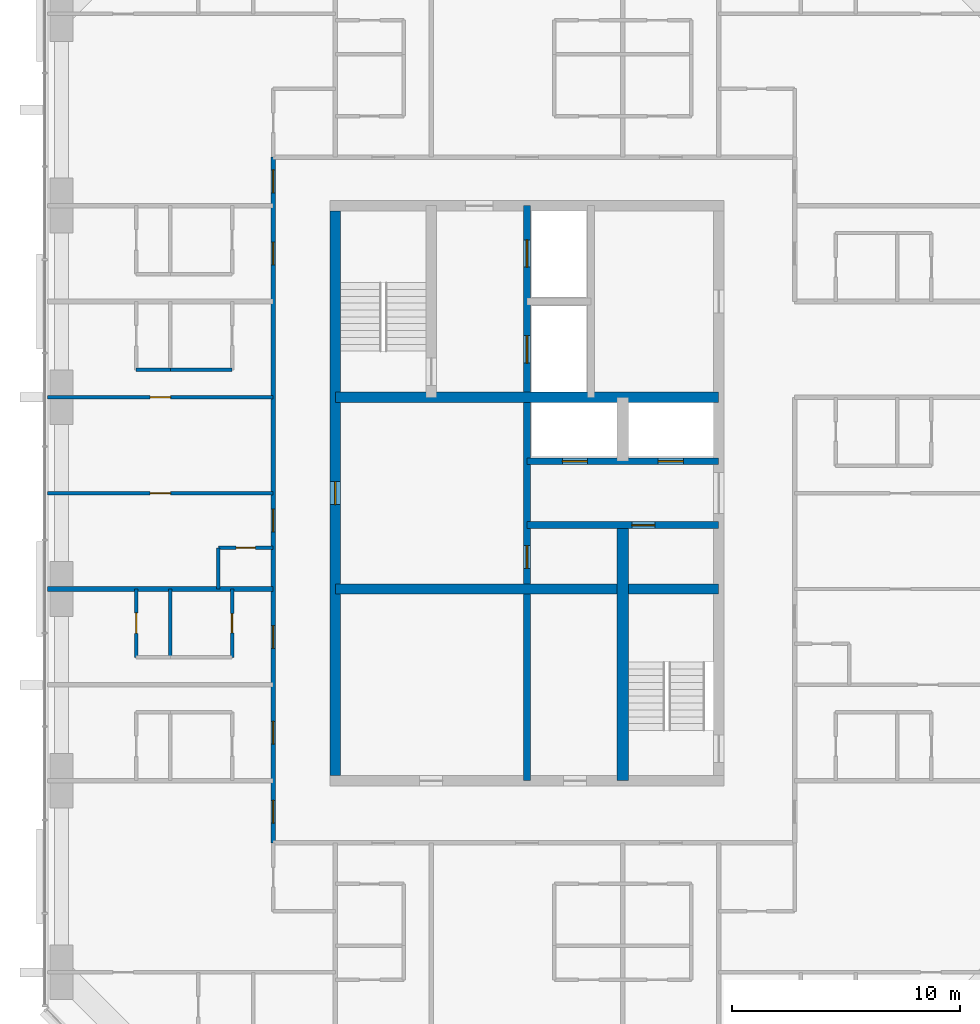
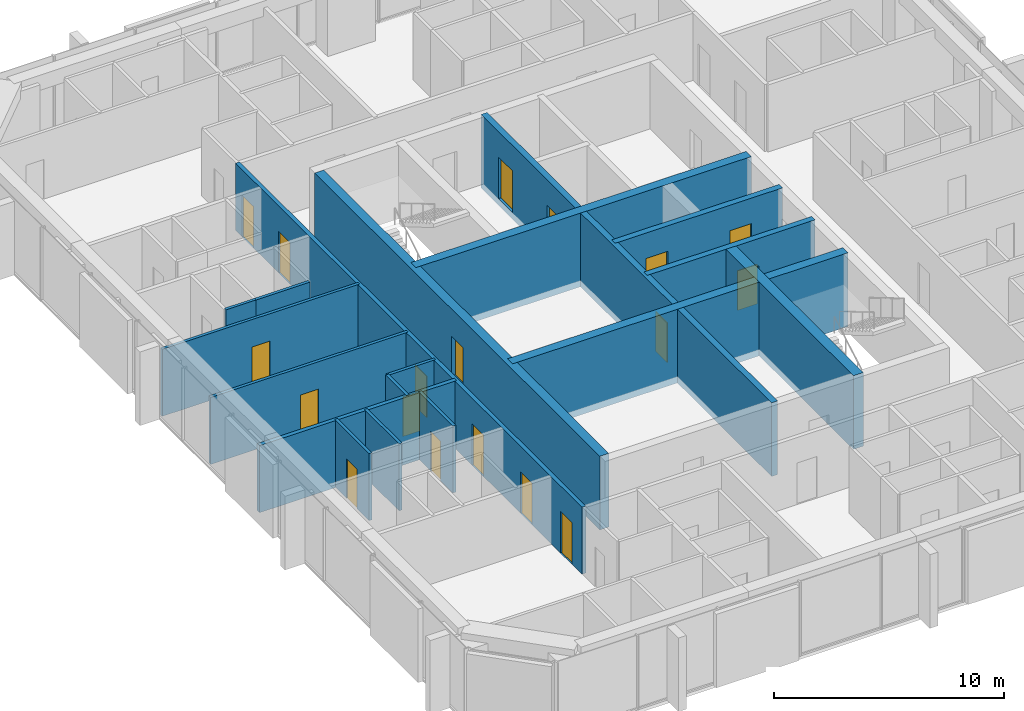
# One storey, part 8 of 12: 18 doors, 18 walls, 18 openings.
"""IFC4 building model written with IfcOpenShell, lengths in metres."""

from ifc_helpers import new_model, si_unit, direction, frame, frame_2d, origin, place, context, subcontext, project, spatial, rectangle, extrude, material, layer, layer_set, type_object, element, fill, save


model = new_model("IFC4")

# Units and contexts
model_context = context("Model", 3, precision=1e-05, world=origin(), true_north=direction((0.0, 1.0)))
body_context = subcontext(model_context, "Body", "Model", "MODEL_VIEW")
ifc_project = project(units=[si_unit("LENGTHUNIT", "METRE"), si_unit("AREAUNIT", "SQUARE_METRE"), si_unit("VOLUMEUNIT", "CUBIC_METRE"), si_unit("PLANEANGLEUNIT", "RADIAN"), si_unit("MASSUNIT", "GRAM", prefix="KILO")], contexts=[model_context])

# Site, building, storey
site_placement = place(None, origin())
site = spatial("IfcSite", under=ifc_project, at=site_placement, CompositionType="ELEMENT")
building_placement = place(site_placement, origin())
building = spatial("IfcBuilding", under=site, at=building_placement, Name="Dunama Terrace Hotel", CompositionType="ELEMENT")
storey_placement = place(building_placement, frame((0.0, 0.0, 264.60009765625)))
storey = spatial("IfcBuildingStorey", under=building, at=storey_placement, Name="L68", CompositionType="ELEMENT", Elevation=264.60009765625)

# Wall
ifc_material_1 = material(Name="Gypsum board partition", Category="masonry")
ifc_layer_1 = layer(ifc_material_1, 0.14990234375)
ifc_layer_set_1 = layer_set([ifc_layer_1], Name="Bathroom partition 150")
wall_type_1 = type_object("IfcWallType", Name="Bathroom partition 150", PredefinedType="PARTITIONING", material=ifc_layer_set_1)
wall_1_placement = place(storey_placement, frame((20.074951171875, 25.199951171875, 0.0), z_axis=(0.0, 0.0, 1.0), x_axis=(0.0, 1.0, 0.0)))
element("IfcWall", 1, at=wall_1_placement, inside=storey, type_object=wall_type_1, Name="Bathroom partition 150 L68", PredefinedType="PARTITIONING", context=body_context, shape_type="SweptSolid", body=[
    extrude(rectangle(XDim=1.800048828125, YDim=0.14990234375, at=frame_2d((0.89990234375, 0.0))), origin(), (0.0, 0.0, 1.0), 3.5498046875),
])

# Wall, opening, door
wall_2_placement = place(storey_placement, frame((20.675048828125, 22.199951171875, 0.0), z_axis=(0.0, 0.0, 1.0), x_axis=(0.0, 1.0, 0.0)))
wall_2 = element("IfcWall", 2, at=wall_2_placement, inside=storey, type_object=wall_type_1, Name="Bathroom partition 150 L68", PredefinedType="PARTITIONING", context=body_context, shape_type="SweptSolid", body=[
    extrude(rectangle(XDim=3.0, YDim=0.14990234375, at=frame_2d((1.5, 0.0))), origin(), (0.0, 0.0, 1.0), 3.5498046875),
])
opening_1_placement = place(wall_2_placement, frame((1.074951171875, 0.0, 0.0)))
opening_1 = element("IfcOpeningElement", 3, at=opening_1_placement, cuts=wall_2, Name="Opening L68-70-041", PredefinedType="OPENING", context=body_context, shape_type="SweptSolid", body=[
    extrude(rectangle(XDim=0.85009765625, YDim=2.10009765625, at=frame_2d((0.425048828125, 1.050048828125))), frame((0.0, 0.0849609375, 0.0), z_axis=(0.0, -1.0, 0.0), x_axis=(1.0, 0.0, 0.0)), (0.0, 0.0, 1.0), 0.169921875),
])
ifc_material_2 = material(Name="Timber door with steel frame", Category="steel")
door_type_1 = type_object("IfcDoorType", Name="Bathroom door 850", OperationType="SINGLE_SWING_LEFT", PredefinedType="DOOR", material=ifc_material_2)
door_1_placement = place(opening_1_placement, origin())
door_1 = element("IfcDoor", 4, at=door_1_placement, inside=storey, type_object=door_type_1, Name="Door to en-suite bathroom L68-70-041, type D2", OperationType="SINGLE_SWING_RIGHT", OverallHeight=2.10009765625, OverallWidth=0.85009765625, PredefinedType="DOOR", context=body_context, shape_type="SweptSolid", body=[
    extrude(rectangle(XDim=0.85009765625, YDim=2.10009765625, at=frame_2d((0.425048828125, 1.050048828125))), frame((0.0, 0.02490234375, 0.0), z_axis=(0.0, -1.0, 0.0), x_axis=(1.0, 0.0, 0.0)), (0.0, 0.0, 1.0), 0.050048828125),
])
fill(opening_1, door_1)

wall_3_placement = place(storey_placement, frame((20.074951171875, 27.0, 0.0), z_axis=(0.0, 0.0, 1.0), x_axis=(1.0, 0.0, 0.0)))
wall_3 = element("IfcWall", 5, at=wall_3_placement, inside=storey, type_object=wall_type_1, Name="Bathroom partition 150 L68", PredefinedType="PARTITIONING", context=body_context, shape_type="SweptSolid", body=[
    extrude(rectangle(XDim=2.400146484375, YDim=0.14990234375, at=frame_2d((1.2001953125, 0.0))), origin(), (0.0, 0.0, 1.0), 3.5498046875),
])
opening_2_placement = place(wall_3_placement, frame((0.77490234375, 0.0, 0.0)))
opening_2 = element("IfcOpeningElement", 6, at=opening_2_placement, cuts=wall_3, Name="Opening L68-70-044", PredefinedType="OPENING", context=body_context, shape_type="SweptSolid", body=[
    extrude(rectangle(XDim=0.85009765625, YDim=2.10009765625, at=frame_2d((0.425048828125, 1.050048828125))), frame((0.0, 0.0849609375, 0.0), z_axis=(0.0, -1.0, 0.0), x_axis=(1.0, 0.0, 0.0)), (0.0, 0.0, 1.0), 0.169921875),
])
door_2_placement = place(opening_2_placement, frame((0.85009765625, 0.0, 0.0), z_axis=(0.0, 0.0, 1.0), x_axis=(-1.0, 0.0, 0.0)))
door_2 = element("IfcDoor", 7, at=door_2_placement, inside=storey, type_object=door_type_1, Name="Door to powder room L68-70-044, type D2", OperationType="SINGLE_SWING_LEFT", OverallHeight=2.10009765625, OverallWidth=0.85009765625, PredefinedType="DOOR", context=body_context, shape_type="SweptSolid", body=[
    extrude(rectangle(XDim=0.85009765625, YDim=2.10009765625, at=frame_2d((0.425048828125, 1.050048828125))), frame((0.0, 0.025146484375, 0.0), z_axis=(0.0, -1.0, 0.0), x_axis=(1.0, 0.0, 0.0)), (0.0, 0.0, 1.0), 0.050048828125),
])
fill(opening_2, door_2)

# Wall
wall_4_placement = place(storey_placement, frame((17.97509765625, 34.800048828125, 0.0), z_axis=(0.0, 0.0, 1.0), x_axis=(1.0, 0.0, 0.0)))
element("IfcWall", 8, at=wall_4_placement, inside=storey, type_object=wall_type_1, Name="Bathroom partition 150 L68", PredefinedType="PARTITIONING", context=body_context, shape_type="SweptSolid", body=[
    extrude(rectangle(XDim=2.699951171875, YDim=0.14990234375, at=frame_2d((1.35009765625, 0.0))), origin(), (0.0, 0.0, 1.0), 3.5498046875),
])

# Wall, openings, doors
ifc_material_3 = material(Name="Concrete C50/60", Category="concrete")
ifc_layer_2 = layer(ifc_material_3, 0.300048828125)
ifc_layer_set_2 = layer_set([ifc_layer_2], Name="Core inner wall 300")
wall_type_2 = type_object("IfcWallType", Name="Core inner wall 300", PredefinedType="SHEAR", material=ifc_layer_set_2)
wall_5_placement = place(storey_placement, frame((33.60009765625, 16.800048828125, -0.35009765625), z_axis=(0.0, 0.0, 1.0), x_axis=(0.0, 1.0, 0.0)))
wall_5 = element("IfcWall", 9, at=wall_5_placement, inside=storey, type_object=wall_type_2, Name="Core inner wall 300 L68", PredefinedType="SHEAR", context=body_context, shape_type="SweptSolid", body=[
    extrude(rectangle(XDim=25.199951171875, YDim=0.300048828125, at=frame_2d((12.60009765625, 0.0))), origin(), (0.0, 0.0, 1.0), 3.89990234375),
])
opening_3_placement = place(wall_5_placement, frame((22.5, 0.0, 0.35009765625)))
opening_3 = element("IfcOpeningElement", 10, at=opening_3_placement, cuts=wall_5, Name="Opening L68-70-005", PredefinedType="OPENING", context=body_context, shape_type="SweptSolid", body=[
    extrude(rectangle(XDim=1.199951171875, YDim=2.199951171875, at=frame_2d((0.60009765625, 1.10009765625))), frame((0.0, 0.159912109375, 0.0), z_axis=(0.0, -1.0, 0.0), x_axis=(1.0, 0.0, 0.0)), (0.0, 0.0, 1.0), 0.320068359375),
])
opening_4_placement = place(wall_5_placement, frame((18.300048828125, 0.0, 0.35009765625)))
opening_4 = element("IfcOpeningElement", 11, at=opening_4_placement, cuts=wall_5, Name="Opening L68-70-006", PredefinedType="OPENING", context=body_context, shape_type="SweptSolid", body=[
    extrude(rectangle(XDim=1.199951171875, YDim=2.199951171875, at=frame_2d((0.60009765625, 1.10009765625))), frame((0.0, 0.159912109375, 0.0), z_axis=(0.0, -1.0, 0.0), x_axis=(1.0, 0.0, 0.0)), (0.0, 0.0, 1.0), 0.320068359375),
])
opening_5_placement = place(wall_5_placement, frame((9.300048828125, 0.0, 0.35009765625)))
opening_5 = element("IfcOpeningElement", 12, at=opening_5_placement, cuts=wall_5, Name="Opening L68-70-073", PredefinedType="OPENING", context=body_context, shape_type="SweptSolid", body=[
    extrude(rectangle(XDim=1.0, YDim=2.10009765625, at=frame_2d((0.5, 1.050048828125))), frame((0.0, 0.159912109375, 0.0), z_axis=(0.0, -1.0, 0.0), x_axis=(1.0, 0.0, 0.0)), (0.0, 0.0, 1.0), 0.320068359375),
])
ifc_material_4 = material(Name="Stainless steel lift door", Category="steel")
door_type_2 = type_object("IfcDoorType", Name="Firefighting lift landing door 1200", OperationType="DOUBLE_DOOR_SLIDING", PredefinedType="DOOR", material=ifc_material_4)
door_3_placement = place(opening_3_placement, origin())
door_3 = element("IfcDoor", 13, at=door_3_placement, inside=storey, type_object=door_type_2, Name="Landing door FL1 L68-70-005, type LD2", OperationType="DOUBLE_DOOR_SLIDING", OverallHeight=2.199951171875, OverallWidth=1.199951171875, PredefinedType="DOOR", context=body_context, shape_type="SweptSolid", body=[
    extrude(rectangle(XDim=1.199951171875, YDim=2.199951171875, at=frame_2d((0.60009765625, 1.10009765625))), frame((0.0, 0.02490234375, 0.0), z_axis=(0.0, -1.0, 0.0), x_axis=(1.0, 0.0, 0.0)), (0.0, 0.0, 1.0), 0.050048828125),
])
fill(opening_3, door_3)
door_4_placement = place(opening_4_placement, origin())
door_4 = element("IfcDoor", 14, at=door_4_placement, inside=storey, type_object=door_type_2, Name="Landing door FL2 L68-70-006, type LD2", OperationType="DOUBLE_DOOR_SLIDING", OverallHeight=2.199951171875, OverallWidth=1.199951171875, PredefinedType="DOOR", context=body_context, shape_type="SweptSolid", body=[
    extrude(rectangle(XDim=1.199951171875, YDim=2.199951171875, at=frame_2d((0.60009765625, 1.10009765625))), frame((0.0, 0.02490234375, 0.0), z_axis=(0.0, -1.0, 0.0), x_axis=(1.0, 0.0, 0.0)), (0.0, 0.0, 1.0), 0.050048828125),
])
fill(opening_4, door_4)
ifc_material_5 = material(Name="Timber door with steel frame", Category="steel")
door_type_3 = type_object("IfcDoorType", Name="Service door 1000", OperationType="SINGLE_SWING_LEFT", PredefinedType="DOOR", material=ifc_material_5)
door_5_placement = place(opening_5_placement, frame((1.0, 0.0, 0.0), z_axis=(0.0, 0.0, 1.0), x_axis=(-1.0, 0.0, 0.0)))
door_5 = element("IfcDoor", 15, at=door_5_placement, inside=storey, type_object=door_type_3, Name="Door to service riser L68-70-073, type D7", OperationType="SINGLE_SWING_RIGHT", OverallHeight=2.10009765625, OverallWidth=1.0, PredefinedType="DOOR", context=body_context, shape_type="SweptSolid", body=[
    extrude(rectangle(XDim=1.0, YDim=2.10009765625, at=frame_2d((0.5, 1.050048828125))), frame((0.0, 0.025146484375, 0.0), z_axis=(0.0, -1.0, 0.0), x_axis=(1.0, 0.0, 0.0)), (0.0, 0.0, 1.0), 0.050048828125),
])
fill(opening_5, door_5)

# Wall, opening, door
wall_6_placement = place(storey_placement, frame((33.60009765625, 28.0, -0.35009765625), z_axis=(0.0, 0.0, 1.0), x_axis=(1.0, 0.0, 0.0)))
wall_6 = element("IfcWall", 16, at=wall_6_placement, inside=storey, type_object=wall_type_2, Name="Core inner wall 300 L68", PredefinedType="SHEAR", context=body_context, shape_type="SweptSolid", body=[
    extrude(rectangle(XDim=8.39990234375, YDim=0.300048828125, at=frame_2d((4.199951171875, 0.0))), origin(), (0.0, 0.0, 1.0), 3.89990234375),
])
opening_6_placement = place(wall_6_placement, frame((4.60009765625, 0.0, 0.35009765625)))
opening_6 = element("IfcOpeningElement", 17, at=opening_6_placement, cuts=wall_6, Name="Opening L68-70-074", PredefinedType="OPENING", context=body_context, shape_type="SweptSolid", body=[
    extrude(rectangle(XDim=1.0, YDim=2.10009765625, at=frame_2d((0.5, 1.050048828125))), frame((0.0, 0.159912109375, 0.0), z_axis=(0.0, -1.0, 0.0), x_axis=(1.0, 0.0, 0.0)), (0.0, 0.0, 1.0), 0.320068359375),
])
door_6_placement = place(opening_6_placement, frame((1.0, 0.0, 0.0), z_axis=(0.0, 0.0, 1.0), x_axis=(-1.0, 0.0, 0.0)))
door_6 = element("IfcDoor", 18, at=door_6_placement, inside=storey, type_object=door_type_3, Name="Door to guest pantry L68-70-074, type D7", OperationType="SINGLE_SWING_RIGHT", OverallHeight=2.10009765625, OverallWidth=1.0, PredefinedType="DOOR", context=body_context, shape_type="SweptSolid", body=[
    extrude(rectangle(XDim=1.0, YDim=2.10009765625, at=frame_2d((0.5, 1.050048828125))), frame((0.0, 0.025146484375, 0.0), z_axis=(0.0, -1.0, 0.0), x_axis=(1.0, 0.0, 0.0)), (0.0, 0.0, 1.0), 0.050048828125),
])
fill(opening_6, door_6)

# Wall, openings, doors
wall_7_placement = place(storey_placement, frame((33.60009765625, 30.800048828125, -0.35009765625), z_axis=(0.0, 0.0, 1.0), x_axis=(1.0, 0.0, 0.0)))
wall_7 = element("IfcWall", 19, at=wall_7_placement, inside=storey, type_object=wall_type_2, Name="Core inner wall 300 L68", PredefinedType="SHEAR", context=body_context, shape_type="SweptSolid", body=[
    extrude(rectangle(XDim=8.39990234375, YDim=0.300048828125, at=frame_2d((4.199951171875, 0.0))), origin(), (0.0, 0.0, 1.0), 3.89990234375),
])
opening_7_placement = place(wall_7_placement, frame((1.550048828125, 0.0, 0.35009765625)))
opening_7 = element("IfcOpeningElement", 20, at=opening_7_placement, cuts=wall_7, Name="Opening L68-70-003", PredefinedType="OPENING", context=body_context, shape_type="SweptSolid", body=[
    extrude(rectangle(XDim=1.10009765625, YDim=2.199951171875, at=frame_2d((0.550048828125, 1.10009765625))), frame((0.0, 0.159912109375, 0.0), z_axis=(0.0, -1.0, 0.0), x_axis=(1.0, 0.0, 0.0)), (0.0, 0.0, 1.0), 0.320068359375),
])
opening_8_placement = place(wall_7_placement, frame((5.75, 0.0, 0.35009765625)))
opening_8 = element("IfcOpeningElement", 21, at=opening_8_placement, cuts=wall_7, Name="Opening L68-70-004", PredefinedType="OPENING", context=body_context, shape_type="SweptSolid", body=[
    extrude(rectangle(XDim=1.10009765625, YDim=2.199951171875, at=frame_2d((0.550048828125, 1.10009765625))), frame((0.0, 0.159912109375, 0.0), z_axis=(0.0, -1.0, 0.0), x_axis=(1.0, 0.0, 0.0)), (0.0, 0.0, 1.0), 0.320068359375),
])
ifc_material_6 = material(Name="Stainless steel lift door", Category="steel")
door_type_4 = type_object("IfcDoorType", Name="Lift landing door 1100", OperationType="DOUBLE_DOOR_SLIDING", PredefinedType="DOOR", material=ifc_material_6)
door_7_placement = place(opening_7_placement, origin())
door_7 = element("IfcDoor", 22, at=door_7_placement, inside=storey, type_object=door_type_4, Name="Landing door PD1 L68-70-003, type LD1", OperationType="DOUBLE_DOOR_SLIDING", OverallHeight=2.199951171875, OverallWidth=1.10009765625, PredefinedType="DOOR", context=body_context, shape_type="SweptSolid", body=[
    extrude(rectangle(XDim=1.10009765625, YDim=2.199951171875, at=frame_2d((0.550048828125, 1.10009765625))), frame((0.0, 0.02490234375, 0.0), z_axis=(0.0, -1.0, 0.0), x_axis=(1.0, 0.0, 0.0)), (0.0, 0.0, 1.0), 0.050048828125),
])
fill(opening_7, door_7)
door_8_placement = place(opening_8_placement, origin())
door_8 = element("IfcDoor", 23, at=door_8_placement, inside=storey, type_object=door_type_4, Name="Landing door PD2 L68-70-004, type LD1", OperationType="DOUBLE_DOOR_SLIDING", OverallHeight=2.199951171875, OverallWidth=1.10009765625, PredefinedType="DOOR", context=body_context, shape_type="SweptSolid", body=[
    extrude(rectangle(XDim=1.10009765625, YDim=2.199951171875, at=frame_2d((0.550048828125, 1.10009765625))), frame((0.0, 0.02490234375, 0.0), z_axis=(0.0, -1.0, 0.0), x_axis=(1.0, 0.0, 0.0)), (0.0, 0.0, 1.0), 0.050048828125),
])
fill(opening_8, door_8)

# Walls
ifc_material_7 = material(Name="Concrete C50/60", Category="concrete")
ifc_layer_3 = layer(ifc_material_7, 0.449951171875)
ifc_layer_set_3 = layer_set([ifc_layer_3], Name="Core inner wall 450")
wall_type_3 = type_object("IfcWallType", Name="Core inner wall 450", PredefinedType="SHEAR", material=ifc_layer_set_3)
for number, where, z_axis, x_axis, name in (
    (24, (25.199951171875, 25.199951171875, -0.35009765625), (0.0, 0.0, 1.0), (1.0, 0.0, 0.0), "Core inner wall 450 L68"),
    (25, (25.199951171875, 33.60009765625, -0.35009765625), (0.0, 0.0, 1.0), (1.0, 0.0, 0.0), "Core inner wall 450 L68"),
):
    element("IfcWall", number, at=place(storey_placement, frame(where, z_axis=z_axis, x_axis=x_axis)), inside=storey, type_object=wall_type_3, Name=name, PredefinedType="SHEAR", context=body_context, shape_type="SweptSolid", body=[
        extrude(rectangle(XDim=16.800048828125, YDim=0.449951171875, at=frame_2d((8.39990234375, 0.0))), origin(), (0.0, 0.0, 1.0), 3.89990234375),
    ])
ifc_material_8 = material(Name="Concrete C50/60", Category="concrete")
ifc_layer_4 = layer(ifc_material_8, 0.5)
ifc_layer_set_4 = layer_set([ifc_layer_4], Name="Core inner wall 500")
wall_type_4 = type_object("IfcWallType", Name="Core inner wall 500", PredefinedType="SHEAR", material=ifc_layer_set_4)
wall_8_placement = place(storey_placement, frame((37.800048828125, 16.800048828125, -0.35009765625), z_axis=(0.0, 0.0, 1.0), x_axis=(0.0, 1.0, 0.0)))
element("IfcWall", 26, at=wall_8_placement, inside=storey, type_object=wall_type_4, Name="Core inner wall 500 L68", PredefinedType="SHEAR", context=body_context, shape_type="SweptSolid", body=[
    extrude(rectangle(XDim=11.199951171875, YDim=0.5, at=frame_2d((5.60009765625, 0.0))), origin(), (0.0, 0.0, 1.0), 3.89990234375),
])

# Wall, opening, door
ifc_material_9 = material(Name="Concrete C50/60", Category="concrete")
ifc_layer_5 = layer(ifc_material_9, 0.449951171875)
ifc_layer_set_5 = layer_set([ifc_layer_5], Name="Core wall 450")
wall_type_5 = type_object("IfcWallType", Name="Core wall 450", PredefinedType="SHEAR", material=ifc_layer_set_5)
wall_9_placement = place(storey_placement, frame((25.199951171875, 41.77490234375, -0.35009765625), z_axis=(0.0, 0.0, 1.0), x_axis=(0.0, -1.0, 0.0)))
wall_9 = element("IfcWall", 27, at=wall_9_placement, inside=storey, type_object=wall_type_5, Name="Core wall west L68", PredefinedType="SHEAR", context=body_context, shape_type="SweptSolid", body=[
    extrude(rectangle(XDim=24.75, YDim=0.449951171875, at=frame_2d((12.375, 0.0))), origin(), (0.0, 0.0, 1.0), 3.89990234375),
])
opening_9_placement = place(wall_9_placement, frame((11.875, 0.0, 0.35009765625)))
opening_9 = element("IfcOpeningElement", 28, at=opening_9_placement, cuts=wall_9, Name="Opening L68-70-072", PredefinedType="OPENING", context=body_context, shape_type="SweptSolid", body=[
    extrude(rectangle(XDim=1.0, YDim=2.10009765625, at=frame_2d((0.5, 1.050048828125))), frame((0.0, 0.23486328125, 0.0), z_axis=(0.0, -1.0, 0.0), x_axis=(1.0, 0.0, 0.0)), (0.0, 0.0, 1.0), 0.469970703125),
])
door_9_placement = place(opening_9_placement, origin())
door_9 = element("IfcDoor", 29, at=door_9_placement, inside=storey, type_object=door_type_3, Name="Door to riser room L68-70-072, type D7", OperationType="SINGLE_SWING_LEFT", OverallHeight=2.10009765625, OverallWidth=1.0, PredefinedType="DOOR", context=body_context, shape_type="SweptSolid", body=[
    extrude(rectangle(XDim=1.0, YDim=2.10009765625, at=frame_2d((0.5, 1.050048828125))), frame((0.0, 0.02490234375, 0.0), z_axis=(0.0, -1.0, 0.0), x_axis=(1.0, 0.0, 0.0)), (0.0, 0.0, 1.0), 0.050048828125),
])
fill(opening_9, door_9)

# Wall, openings, doors
ifc_material_10 = material(Name="Concrete blockwork", Category="masonry")
ifc_layer_6 = layer(ifc_material_10, 0.199951171875)
ifc_layer_set_6 = layer_set([ifc_layer_6], Name="Corridor partition 200")
wall_type_6 = type_object("IfcWallType", Name="Corridor partition 200", PredefinedType="PARTITIONING", material=ifc_layer_set_6)
wall_10_placement = place(storey_placement, frame((22.47509765625, 14.074951171875, 0.0), z_axis=(0.0, 0.0, 1.0), x_axis=(0.0, 1.0, 0.0)))
wall_10 = element("IfcWall", 30, at=wall_10_placement, inside=storey, type_object=wall_type_6, Name="Corridor partition 200 L68", PredefinedType="PARTITIONING", context=body_context, shape_type="SweptSolid", body=[
    extrude(rectangle(XDim=30.050048828125, YDim=0.199951171875, at=frame_2d((15.02490234375, 0.0))), origin(), (0.0, 0.0, 1.0), 3.5498046875),
])
opening_10_placement = place(wall_10_placement, frame((4.324951171875, 0.0, 0.0)))
opening_10 = element("IfcOpeningElement", 31, at=opening_10_placement, cuts=wall_10, Name="Opening L68-70-037", PredefinedType="OPENING", context=body_context, shape_type="SweptSolid", body=[
    extrude(rectangle(XDim=1.0, YDim=2.199951171875, at=frame_2d((0.5, 1.10009765625))), frame((0.0, 0.10986328125, 0.0), z_axis=(0.0, -1.0, 0.0), x_axis=(1.0, 0.0, 0.0)), (0.0, 0.0, 1.0), 0.219970703125),
])
opening_11_placement = place(wall_10_placement, frame((8.52490234375, 0.0, 0.0)))
opening_11 = element("IfcOpeningElement", 32, at=opening_11_placement, cuts=wall_10, Name="Opening L68-70-040", PredefinedType="OPENING", context=body_context, shape_type="SweptSolid", body=[
    extrude(rectangle(XDim=1.0, YDim=2.199951171875, at=frame_2d((0.5, 1.10009765625))), frame((0.0, 0.10986328125, 0.0), z_axis=(0.0, -1.0, 0.0), x_axis=(1.0, 0.0, 0.0)), (0.0, 0.0, 1.0), 0.219970703125),
])
opening_12_placement = place(wall_10_placement, frame((13.625, 0.0, 0.0)))
opening_12 = element("IfcOpeningElement", 33, at=opening_12_placement, cuts=wall_10, Name="Opening L68-70-043", PredefinedType="OPENING", context=body_context, shape_type="SweptSolid", body=[
    extrude(rectangle(XDim=1.0, YDim=2.199951171875, at=frame_2d((0.5, 1.10009765625))), frame((0.0, 0.10986328125, 0.0), z_axis=(0.0, -1.0, 0.0), x_axis=(1.0, 0.0, 0.0)), (0.0, 0.0, 1.0), 0.219970703125),
])
opening_13_placement = place(wall_10_placement, frame((25.324951171875, 0.0, 0.0)))
opening_13 = element("IfcOpeningElement", 34, at=opening_13_placement, cuts=wall_10, Name="Opening L68-70-049", PredefinedType="OPENING", context=body_context, shape_type="SweptSolid", body=[
    extrude(rectangle(XDim=1.0, YDim=2.199951171875, at=frame_2d((0.5, 1.10009765625))), frame((0.0, 0.10986328125, 0.0), z_axis=(0.0, -1.0, 0.0), x_axis=(1.0, 0.0, 0.0)), (0.0, 0.0, 1.0), 0.219970703125),
])
opening_14_placement = place(wall_10_placement, frame((0.863037109375, 0.0, 0.0)))
opening_14 = element("IfcOpeningElement", 35, at=opening_14_placement, cuts=wall_10, Name="Opening L68-70-052", PredefinedType="OPENING", context=body_context, shape_type="SweptSolid", body=[
    extrude(rectangle(XDim=1.0, YDim=2.199951171875, at=frame_2d((0.5, 1.10009765625))), frame((0.0, 0.10986328125, 0.0), z_axis=(0.0, -1.0, 0.0), x_axis=(1.0, 0.0, 0.0)), (0.0, 0.0, 1.0), 0.219970703125),
])
opening_15_placement = place(wall_10_placement, frame((28.487060546875, 0.0, 0.0)))
opening_15 = element("IfcOpeningElement", 36, at=opening_15_placement, cuts=wall_10, Name="Opening L68-70-067", PredefinedType="OPENING", context=body_context, shape_type="SweptSolid", body=[
    extrude(rectangle(XDim=1.0, YDim=2.199951171875, at=frame_2d((0.5, 1.10009765625))), frame((0.0, 0.10986328125, 0.0), z_axis=(0.0, -1.0, 0.0), x_axis=(1.0, 0.0, 0.0)), (0.0, 0.0, 1.0), 0.219970703125),
])
ifc_material_11 = material(Name="Timber door with steel frame", Category="steel")
door_type_5 = type_object("IfcDoorType", Name="Guest room door 1000", OperationType="SINGLE_SWING_LEFT", PredefinedType="DOOR", material=ifc_material_11)
door_10_placement = place(opening_10_placement, origin())
door_10 = element("IfcDoor", 37, at=door_10_placement, inside=storey, type_object=door_type_5, Name="Door to studio suite L68-70-037, type D1", OperationType="SINGLE_SWING_LEFT", OverallHeight=2.199951171875, OverallWidth=1.0, PredefinedType="DOOR", context=body_context, shape_type="SweptSolid", body=[
    extrude(rectangle(XDim=1.0, YDim=2.199951171875, at=frame_2d((0.5, 1.10009765625))), frame((0.0, 0.02490234375, 0.0), z_axis=(0.0, -1.0, 0.0), x_axis=(1.0, 0.0, 0.0)), (0.0, 0.0, 1.0), 0.050048828125),
])
fill(opening_10, door_10)
door_11_placement = place(opening_11_placement, origin())
door_11 = element("IfcDoor", 38, at=door_11_placement, inside=storey, type_object=door_type_5, Name="Door to studio suite L68-70-040, type D1", OperationType="SINGLE_SWING_LEFT", OverallHeight=2.199951171875, OverallWidth=1.0, PredefinedType="DOOR", context=body_context, shape_type="SweptSolid", body=[
    extrude(rectangle(XDim=1.0, YDim=2.199951171875, at=frame_2d((0.5, 1.10009765625))), frame((0.0, 0.02490234375, 0.0), z_axis=(0.0, -1.0, 0.0), x_axis=(1.0, 0.0, 0.0)), (0.0, 0.0, 1.0), 0.050048828125),
])
fill(opening_11, door_11)
door_12_placement = place(opening_12_placement, origin())
door_12 = element("IfcDoor", 39, at=door_12_placement, inside=storey, type_object=door_type_5, Name="Door to ambassador suite living room L68-70-043, type D1", OperationType="SINGLE_SWING_LEFT", OverallHeight=2.199951171875, OverallWidth=1.0, PredefinedType="DOOR", context=body_context, shape_type="SweptSolid", body=[
    extrude(rectangle(XDim=1.0, YDim=2.199951171875, at=frame_2d((0.5, 1.10009765625))), frame((0.0, 0.02490234375, 0.0), z_axis=(0.0, -1.0, 0.0), x_axis=(1.0, 0.0, 0.0)), (0.0, 0.0, 1.0), 0.050048828125),
])
fill(opening_12, door_12)
door_13_placement = place(opening_13_placement, origin())
door_13 = element("IfcDoor", 40, at=door_13_placement, inside=storey, type_object=door_type_5, Name="Door to studio suite L68-70-049, type D1", OperationType="SINGLE_SWING_LEFT", OverallHeight=2.199951171875, OverallWidth=1.0, PredefinedType="DOOR", context=body_context, shape_type="SweptSolid", body=[
    extrude(rectangle(XDim=1.0, YDim=2.199951171875, at=frame_2d((0.5, 1.10009765625))), frame((0.0, 0.02490234375, 0.0), z_axis=(0.0, -1.0, 0.0), x_axis=(1.0, 0.0, 0.0)), (0.0, 0.0, 1.0), 0.050048828125),
])
fill(opening_13, door_13)
door_14_placement = place(opening_14_placement, origin())
door_14 = element("IfcDoor", 41, at=door_14_placement, inside=storey, type_object=door_type_5, Name="Door to grand corner suite living room L68-70-052, type D1", OperationType="SINGLE_SWING_RIGHT", OverallHeight=2.199951171875, OverallWidth=1.0, PredefinedType="DOOR", context=body_context, shape_type="SweptSolid", body=[
    extrude(rectangle(XDim=1.0, YDim=2.199951171875, at=frame_2d((0.5, 1.10009765625))), frame((0.0, 0.02490234375, 0.0), z_axis=(0.0, -1.0, 0.0), x_axis=(1.0, 0.0, 0.0)), (0.0, 0.0, 1.0), 0.050048828125),
])
fill(opening_14, door_14)
door_15_placement = place(opening_15_placement, origin())
door_15 = element("IfcDoor", 42, at=door_15_placement, inside=storey, type_object=door_type_5, Name="Door to grand corner suite living room L68-70-067, type D1", OperationType="SINGLE_SWING_LEFT", OverallHeight=2.199951171875, OverallWidth=1.0, PredefinedType="DOOR", context=body_context, shape_type="SweptSolid", body=[
    extrude(rectangle(XDim=1.0, YDim=2.199951171875, at=frame_2d((0.5, 1.10009765625))), frame((0.0, 0.02490234375, 0.0), z_axis=(0.0, -1.0, 0.0), x_axis=(1.0, 0.0, 0.0)), (0.0, 0.0, 1.0), 0.050048828125),
])
fill(opening_15, door_15)

# Wall
ifc_material_12 = material(Name="Concrete blockwork", Category="masonry")
ifc_layer_7 = layer(ifc_material_12, 0.199951171875)
ifc_layer_set_7 = layer_set([ifc_layer_7], Name="Party wall 200")
wall_type_7 = type_object("IfcWallType", Name="Party wall 200", PredefinedType="PARTITIONING", material=ifc_layer_set_7)
wall_11_placement = place(storey_placement, frame((12.58203125, 25.199951171875, 0.0), z_axis=(0.0, 0.0, 1.0), x_axis=(1.0, 0.0, 0.0)))
element("IfcWall", 43, at=wall_11_placement, inside=storey, type_object=wall_type_7, Name="Party wall 200 L68", PredefinedType="PARTITIONING", context=body_context, shape_type="SweptSolid", body=[
    extrude(rectangle(XDim=9.89306640625, YDim=0.199951171875, at=frame_2d((4.946533203125, 0.0))), origin(), (0.0, 0.0, 1.0), 3.5498046875),
])

# Wall, opening, door
ifc_material_13 = material(Name="Gypsum board partition", Category="masonry")
ifc_layer_8 = layer(ifc_material_13, 0.14990234375)
ifc_layer_set_8 = layer_set([ifc_layer_8], Name="Room partition 150")
wall_type_8 = type_object("IfcWallType", Name="Room partition 150", PredefinedType="PARTITIONING", material=ifc_layer_set_8)
wall_12_placement = place(storey_placement, frame((16.47509765625, 22.199951171875, 0.0), z_axis=(0.0, 0.0, 1.0), x_axis=(0.0, 1.0, 0.0)))
wall_12 = element("IfcWall", 44, at=wall_12_placement, inside=storey, type_object=wall_type_8, Name="Room partition 150 L68", PredefinedType="PARTITIONING", context=body_context, shape_type="SweptSolid", body=[
    extrude(rectangle(XDim=3.0, YDim=0.14990234375, at=frame_2d((1.5, 0.0))), origin(), (0.0, 0.0, 1.0), 3.5498046875),
])
opening_16_placement = place(wall_12_placement, frame((1.050048828125, 0.0, 0.0)))
opening_16 = element("IfcOpeningElement", 45, at=opening_16_placement, cuts=wall_12, Name="Opening L68-70-042", PredefinedType="OPENING", context=body_context, shape_type="SweptSolid", body=[
    extrude(rectangle(XDim=0.89990234375, YDim=2.10009765625, at=frame_2d((0.449951171875, 1.050048828125))), frame((0.0, 0.0849609375, 0.0), z_axis=(0.0, -1.0, 0.0), x_axis=(1.0, 0.0, 0.0)), (0.0, 0.0, 1.0), 0.169921875),
])
ifc_material_14 = material(Name="Timber door with steel frame", Category="steel")
door_type_6 = type_object("IfcDoorType", Name="Suite internal door 900", OperationType="SINGLE_SWING_LEFT", PredefinedType="DOOR", material=ifc_material_14)
door_16_placement = place(opening_16_placement, frame((0.89990234375, 0.0, 0.0), z_axis=(0.0, 0.0, 1.0), x_axis=(-1.0, 0.0, 0.0)))
door_16 = element("IfcDoor", 46, at=door_16_placement, inside=storey, type_object=door_type_6, Name="Door to walk-in wardrobe L68-70-042, type D16", OperationType="SINGLE_SWING_RIGHT", OverallHeight=2.10009765625, OverallWidth=0.89990234375, PredefinedType="DOOR", context=body_context, shape_type="SweptSolid", body=[
    extrude(rectangle(XDim=0.89990234375, YDim=2.10009765625, at=frame_2d((0.449951171875, 1.050048828125))), frame((0.0, 0.025146484375, 0.0), z_axis=(0.0, -1.0, 0.0), x_axis=(1.0, 0.0, 0.0)), (0.0, 0.0, 1.0), 0.050048828125),
])
fill(opening_16, door_16)

# Wall
wall_13_placement = place(storey_placement, frame((17.97509765625, 22.199951171875, 0.0), z_axis=(0.0, 0.0, 1.0), x_axis=(0.0, 1.0, 0.0)))
element("IfcWall", 47, at=wall_13_placement, inside=storey, type_object=wall_type_8, Name="Room partition 150 L68", PredefinedType="PARTITIONING", context=body_context, shape_type="SweptSolid", body=[
    extrude(rectangle(XDim=3.0, YDim=0.14990234375, at=frame_2d((1.5, 0.0))), origin(), (0.0, 0.0, 1.0), 3.5498046875),
])

# Wall, opening, door
wall_14_placement = place(storey_placement, frame((12.58203125, 29.39990234375, 0.0), z_axis=(0.0, 0.0, 1.0), x_axis=(1.0, 0.0, 0.0)))
wall_14 = element("IfcWall", 48, at=wall_14_placement, inside=storey, type_object=wall_type_8, Name="Room partition 150 L68", PredefinedType="PARTITIONING", context=body_context, shape_type="SweptSolid", body=[
    extrude(rectangle(XDim=9.89306640625, YDim=0.14990234375, at=frame_2d((4.946533203125, 0.0))), origin(), (0.0, 0.0, 1.0), 3.5498046875),
])
opening_17_placement = place(wall_14_placement, frame((4.506103515625, 0.0, 0.0)))
opening_17 = element("IfcOpeningElement", 49, at=opening_17_placement, cuts=wall_14, Name="Opening L68-70-045", PredefinedType="OPENING", context=body_context, shape_type="SweptSolid", body=[
    extrude(rectangle(XDim=0.89990234375, YDim=2.10009765625, at=frame_2d((0.449951171875, 1.050048828125))), frame((0.0, 0.0849609375, 0.0), z_axis=(0.0, -1.0, 0.0), x_axis=(1.0, 0.0, 0.0)), (0.0, 0.0, 1.0), 0.169921875),
])
door_17_placement = place(opening_17_placement, frame((0.89990234375, 0.0, 0.0), z_axis=(0.0, 0.0, 1.0), x_axis=(-1.0, 0.0, 0.0)))
door_17 = element("IfcDoor", 50, at=door_17_placement, inside=storey, type_object=door_type_6, Name="Door to ambassador suite study L68-70-045, type D16", OperationType="SINGLE_SWING_LEFT", OverallHeight=2.10009765625, OverallWidth=0.89990234375, PredefinedType="DOOR", context=body_context, shape_type="SweptSolid", body=[
    extrude(rectangle(XDim=0.89990234375, YDim=2.10009765625, at=frame_2d((0.449951171875, 1.050048828125))), frame((0.0, 0.025146484375, 0.0), z_axis=(0.0, -1.0, 0.0), x_axis=(1.0, 0.0, 0.0)), (0.0, 0.0, 1.0), 0.050048828125),
])
fill(opening_17, door_17)

wall_15_placement = place(storey_placement, frame((12.58203125, 33.60009765625, 0.0), z_axis=(0.0, 0.0, 1.0), x_axis=(1.0, 0.0, 0.0)))
wall_15 = element("IfcWall", 51, at=wall_15_placement, inside=storey, type_object=wall_type_8, Name="Room partition 150 L68", PredefinedType="PARTITIONING", context=body_context, shape_type="SweptSolid", body=[
    extrude(rectangle(XDim=9.89306640625, YDim=0.14990234375, at=frame_2d((4.946533203125, 0.0))), origin(), (0.0, 0.0, 1.0), 3.5498046875),
])
opening_18_placement = place(wall_15_placement, frame((4.506103515625, 0.0, 0.0)))
opening_18 = element("IfcOpeningElement", 52, at=opening_18_placement, cuts=wall_15, Name="Opening L68-70-046", PredefinedType="OPENING", context=body_context, shape_type="SweptSolid", body=[
    extrude(rectangle(XDim=0.89990234375, YDim=2.10009765625, at=frame_2d((0.449951171875, 1.050048828125))), frame((0.0, 0.0849609375, 0.0), z_axis=(0.0, -1.0, 0.0), x_axis=(1.0, 0.0, 0.0)), (0.0, 0.0, 1.0), 0.169921875),
])
door_18_placement = place(opening_18_placement, origin())
door_18 = element("IfcDoor", 53, at=door_18_placement, inside=storey, type_object=door_type_6, Name="Door to ambassador suite bedroom L68-70-046, type D16", OperationType="SINGLE_SWING_LEFT", OverallHeight=2.10009765625, OverallWidth=0.89990234375, PredefinedType="DOOR", context=body_context, shape_type="SweptSolid", body=[
    extrude(rectangle(XDim=0.89990234375, YDim=2.10009765625, at=frame_2d((0.449951171875, 1.050048828125))), frame((0.0, 0.02490234375, 0.0), z_axis=(0.0, -1.0, 0.0), x_axis=(1.0, 0.0, 0.0)), (0.0, 0.0, 1.0), 0.050048828125),
])
fill(opening_18, door_18)

# Wall
wall_16_placement = place(storey_placement, frame((16.47509765625, 34.800048828125, 0.0), z_axis=(0.0, 0.0, 1.0), x_axis=(1.0, 0.0, 0.0)))
element("IfcWall", 54, at=wall_16_placement, inside=storey, type_object=wall_type_8, Name="Room partition 150 L68", PredefinedType="PARTITIONING", context=body_context, shape_type="SweptSolid", body=[
    extrude(rectangle(XDim=1.5, YDim=0.14990234375, at=frame_2d((0.75, 0.0))), origin(), (0.0, 0.0, 1.0), 3.5498046875),
])

save(model, "model.ifc")
